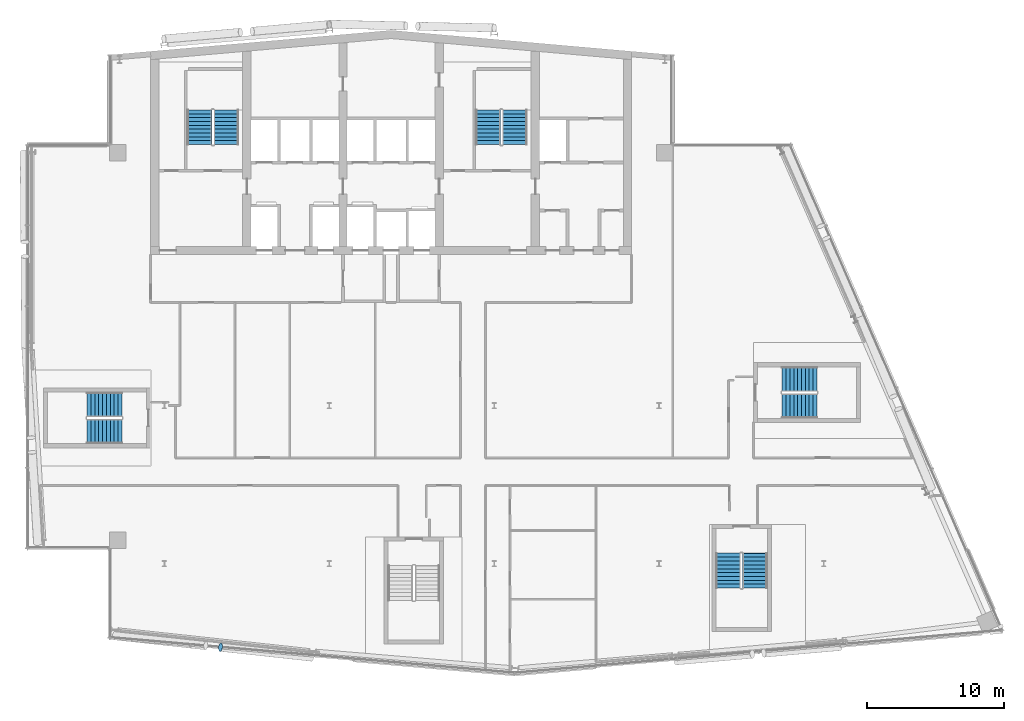
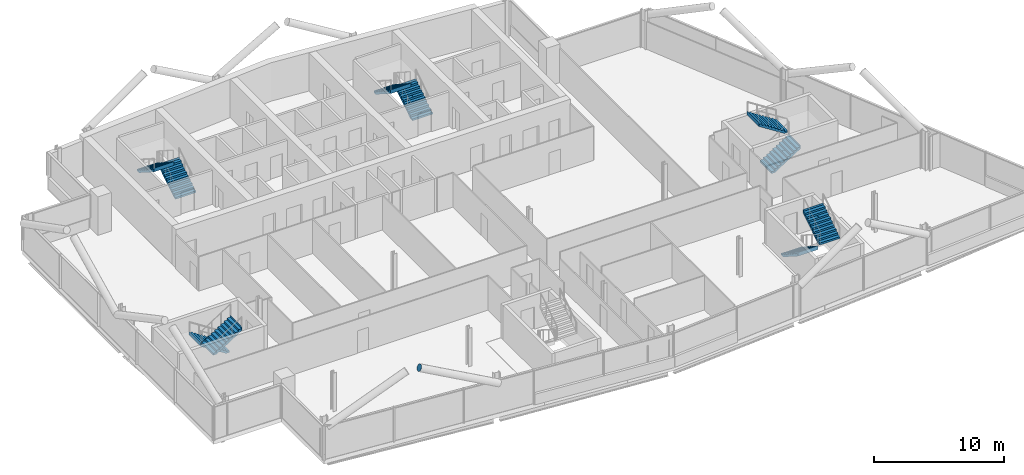
# One storey, part 20 of 27: 10 stair flights, 1 discrete accessory, 5 elements without a shape of their own.
"""IFC4 building model written with IfcOpenShell, lengths in metres."""

from ifc_helpers import new_model, si_unit, direction, frame, origin, origin_2d, place, context, subcontext, project, spatial, polyline, circle, outline, extrude, material, material_profile, profile_set, type_object, element, aggregate, save


model = new_model("IFC4")

# Units and contexts
model_context = context("Model", 3, precision=1e-05, world=origin(), true_north=direction((0.0, 1.0)))
body_context = subcontext(model_context, "Body", "Model", "MODEL_VIEW")
ifc_project = project(units=[si_unit("LENGTHUNIT", "METRE"), si_unit("AREAUNIT", "SQUARE_METRE"), si_unit("VOLUMEUNIT", "CUBIC_METRE"), si_unit("PLANEANGLEUNIT", "RADIAN"), si_unit("MASSUNIT", "GRAM", prefix="KILO")], contexts=[model_context])

# Site, building, storey
site_placement = place(None, origin())
site = spatial("IfcSite", under=ifc_project, at=site_placement, CompositionType="ELEMENT")
building_placement = place(site_placement, origin())
building = spatial("IfcBuilding", under=site, at=building_placement, Name="Wharfspan Tower", CompositionType="ELEMENT")
storey_placement = place(building_placement, frame((0.0, 0.0, 210.699951)))
storey = spatial("IfcBuildingStorey", under=building, at=storey_placement, Name="L52", CompositionType="ELEMENT", Elevation=210.699951)

# Stair, stair flights
ifc_material_1 = material(Name="Concrete C40/50", Category="concrete")
stair_type = type_object("IfcStairType", Name="Half-turn stair 20 risers 180 mm", PredefinedType="HALF_TURN_STAIR", material=ifc_material_1)
stair_1_placement = place(storey_placement, origin())
stair_1 = element("IfcStair", 1, at=stair_1_placement, inside=storey, type_object=stair_type, Name="L52 stair ST1", PredefinedType="HALF_TURN_STAIR")
stair_flight_type = type_object("IfcStairFlightType", Name="Stair flight 20 risers 180 mm", PredefinedType="STRAIGHT", material=ifc_material_1)
stair_flight_1_placement = place(storey_placement, frame((28.5, 42.0, 0.0), z_axis=(0.0, 0.0, 1.0), x_axis=(0.0, 1.0, 0.0)))
stair_flight_1 = element("IfcStairFlight", 2, at=stair_flight_1_placement, type_object=stair_flight_type, Name="ST1 flight 1", NumberOfRisers=10, NumberOfTreads=9, PredefinedType="STRAIGHT", RiserHeight=0.18, TreadLength=0.28, context=body_context, shape_type="SweptSolid", body=[
    extrude(outline(polyline([(-0.011963, 0.0), (-0.011963, 0.179932), (0.0, 0.179932), (0.280029, 0.179932), (0.280029, 0.360107), (0.560059, 0.360107), (0.560059, 0.540039), (0.840088, 0.540039), (0.840088, 0.719971), (1.120117, 0.719971), (1.120117, 0.899902), (1.399902, 0.899902), (1.399902, 1.080078), (1.679932, 1.080078), (1.679932, 1.26001), (1.959961, 1.26001), (1.959961, 1.439941), (2.23999, 1.439941), (2.23999, 1.620117), (2.52002, 1.620117), (2.531982, 1.800049), (2.531982, 1.441895), (0.2771, 0.0), (-0.011963, 0.0)])), frame((0.0, 0.899902, 0.0), z_axis=(0.0, -1.0, 0.0), x_axis=(1.0, 0.0, 0.0)), (0.0, 0.0, 1.0), 0.899414),
    extrude(outline(polyline([(-0.011963, 0.0), (-0.011963, 0.179932), (0.0, 0.179932), (0.280029, 0.179932), (0.280029, 0.360107), (0.560059, 0.360107), (0.560059, 0.540039), (0.840088, 0.540039), (0.840088, 0.719971), (1.120117, 0.719971), (1.120117, 0.899902), (1.399902, 0.899902), (1.399902, 1.080078), (1.679932, 1.080078), (1.679932, 1.26001), (1.959961, 1.26001), (1.959961, 1.439941), (2.23999, 1.439941), (2.23999, 1.620117), (2.52002, 1.620117), (2.531982, 1.800049), (2.531982, 1.441895), (0.2771, 0.0), (-0.011963, 0.0)])), frame((0.0, -0.000488, 0.0), z_axis=(0.0, -1.0, 0.0), x_axis=(1.0, 0.0, 0.0)), (0.0, 0.0, 1.0), 0.899414),
])
stair_flight_2_placement = place(storey_placement, frame((26.550049, 44.52002, 1.800049), z_axis=(0.0, 0.0, 1.0), x_axis=(0.0, -1.0, 0.0)))
stair_flight_2 = element("IfcStairFlight", 3, at=stair_flight_2_placement, type_object=stair_flight_type, Name="ST1 flight 2", NumberOfRisers=10, NumberOfTreads=9, PredefinedType="STRAIGHT", RiserHeight=0.18, TreadLength=0.28, context=body_context, shape_type="SweptSolid", body=[
    extrude(outline(polyline([(-0.011963, 0.0), (-0.011963, 0.179932), (0.0, 0.179932), (0.280029, 0.179932), (0.280029, 0.360107), (0.560059, 0.360107), (0.560059, 0.540039), (0.840088, 0.540039), (0.840088, 0.719971), (1.120117, 0.719971), (1.120117, 0.899902), (1.399902, 0.899902), (1.399902, 1.080078), (1.679932, 1.080078), (1.679932, 1.26001), (1.959961, 1.26001), (1.959961, 1.439941), (2.23999, 1.439941), (2.23999, 1.620117), (2.52002, 1.620117), (2.531982, 1.800049), (2.531982, 1.441895), (0.2771, 0.0), (-0.011963, 0.0)])), frame((0.0, 0.899902, 0.0), z_axis=(0.0, -1.0, 0.0), x_axis=(1.0, 0.0, 0.0)), (0.0, 0.0, 1.0), 0.899414),
    extrude(outline(polyline([(-0.011963, 0.0), (-0.011963, 0.179932), (0.0, 0.179932), (0.280029, 0.179932), (0.280029, 0.360107), (0.560059, 0.360107), (0.560059, 0.540039), (0.840088, 0.540039), (0.840088, 0.719971), (1.120117, 0.719971), (1.120117, 0.899902), (1.399902, 0.899902), (1.399902, 1.080078), (1.679932, 1.080078), (1.679932, 1.26001), (1.959961, 1.26001), (1.959961, 1.439941), (2.23999, 1.439941), (2.23999, 1.620117), (2.52002, 1.620117), (2.531982, 1.800049), (2.531982, 1.441895), (0.2771, 0.0), (-0.011963, 0.0)])), frame((0.0, -0.000488, 0.0), z_axis=(0.0, -1.0, 0.0), x_axis=(1.0, 0.0, 0.0)), (0.0, 0.0, 1.0), 0.899414),
])
aggregate(stair_1, [stair_flight_1, stair_flight_2])

stair_2_placement = place(storey_placement, origin())
stair_2 = element("IfcStair", 4, at=stair_2_placement, inside=storey, type_object=stair_type, Name="L52 stair ST2", PredefinedType="HALF_TURN_STAIR")
stair_flight_3_placement = place(storey_placement, frame((49.5, 42.0, 0.0), z_axis=(0.0, 0.0, 1.0), x_axis=(0.0, 1.0, 0.0)))
stair_flight_3 = element("IfcStairFlight", 5, at=stair_flight_3_placement, type_object=stair_flight_type, Name="ST2 flight 1", NumberOfRisers=10, NumberOfTreads=9, PredefinedType="STRAIGHT", RiserHeight=0.18, TreadLength=0.28, context=body_context, shape_type="SweptSolid", body=[
    extrude(outline(polyline([(-0.011963, 0.0), (-0.011963, 0.179932), (0.0, 0.179932), (0.280029, 0.179932), (0.280029, 0.360107), (0.560059, 0.360107), (0.560059, 0.540039), (0.840088, 0.540039), (0.840088, 0.719971), (1.120117, 0.719971), (1.120117, 0.899902), (1.399902, 0.899902), (1.399902, 1.080078), (1.679932, 1.080078), (1.679932, 1.26001), (1.959961, 1.26001), (1.959961, 1.439941), (2.23999, 1.439941), (2.23999, 1.620117), (2.52002, 1.620117), (2.531982, 1.800049), (2.531982, 1.441895), (0.2771, 0.0), (-0.011963, 0.0)])), frame((0.0, 0.899902, 0.0), z_axis=(0.0, -1.0, 0.0), x_axis=(1.0, 0.0, 0.0)), (0.0, 0.0, 1.0), 0.899414),
    extrude(outline(polyline([(-0.011963, 0.0), (-0.011963, 0.179932), (0.0, 0.179932), (0.280029, 0.179932), (0.280029, 0.360107), (0.560059, 0.360107), (0.560059, 0.540039), (0.840088, 0.540039), (0.840088, 0.719971), (1.120117, 0.719971), (1.120117, 0.899902), (1.399902, 0.899902), (1.399902, 1.080078), (1.679932, 1.080078), (1.679932, 1.26001), (1.959961, 1.26001), (1.959961, 1.439941), (2.23999, 1.439941), (2.23999, 1.620117), (2.52002, 1.620117), (2.531982, 1.800049), (2.531982, 1.441895), (0.2771, 0.0), (-0.011963, 0.0)])), frame((0.0, -0.000488, 0.0), z_axis=(0.0, -1.0, 0.0), x_axis=(1.0, 0.0, 0.0)), (0.0, 0.0, 1.0), 0.899414),
])
stair_flight_4_placement = place(storey_placement, frame((47.550049, 44.52002, 1.800049), z_axis=(0.0, 0.0, 1.0), x_axis=(0.0, -1.0, 0.0)))
stair_flight_4 = element("IfcStairFlight", 6, at=stair_flight_4_placement, type_object=stair_flight_type, Name="ST2 flight 2", NumberOfRisers=10, NumberOfTreads=9, PredefinedType="STRAIGHT", RiserHeight=0.18, TreadLength=0.28, context=body_context, shape_type="SweptSolid", body=[
    extrude(outline(polyline([(-0.011963, 0.0), (-0.011963, 0.179932), (0.0, 0.179932), (0.280029, 0.179932), (0.280029, 0.360107), (0.560059, 0.360107), (0.560059, 0.540039), (0.840088, 0.540039), (0.840088, 0.719971), (1.120117, 0.719971), (1.120117, 0.899902), (1.399902, 0.899902), (1.399902, 1.080078), (1.679932, 1.080078), (1.679932, 1.26001), (1.959961, 1.26001), (1.959961, 1.439941), (2.23999, 1.439941), (2.23999, 1.620117), (2.52002, 1.620117), (2.531982, 1.800049), (2.531982, 1.441895), (0.2771, 0.0), (-0.011963, 0.0)])), frame((0.0, 0.899902, 0.0), z_axis=(0.0, -1.0, 0.0), x_axis=(1.0, 0.0, 0.0)), (0.0, 0.0, 1.0), 0.899414),
    extrude(outline(polyline([(-0.011963, 0.0), (-0.011963, 0.179932), (0.0, 0.179932), (0.280029, 0.179932), (0.280029, 0.360107), (0.560059, 0.360107), (0.560059, 0.540039), (0.840088, 0.540039), (0.840088, 0.719971), (1.120117, 0.719971), (1.120117, 0.899902), (1.399902, 0.899902), (1.399902, 1.080078), (1.679932, 1.080078), (1.679932, 1.26001), (1.959961, 1.26001), (1.959961, 1.439941), (2.23999, 1.439941), (2.23999, 1.620117), (2.52002, 1.620117), (2.531982, 1.800049), (2.531982, 1.441895), (0.2771, 0.0), (-0.011963, 0.0)])), frame((0.0, -0.000488, 0.0), z_axis=(0.0, -1.0, 0.0), x_axis=(1.0, 0.0, 0.0)), (0.0, 0.0, 1.0), 0.899414),
])
aggregate(stair_2, [stair_flight_3, stair_flight_4])

stair_3_placement = place(storey_placement, origin())
stair_3 = element("IfcStair", 7, at=stair_3_placement, inside=storey, type_object=stair_type, Name="L52 stair ST3", PredefinedType="HALF_TURN_STAIR")
stair_flight_5_placement = place(storey_placement, frame((20.899902, 23.074951, 0.0), z_axis=(0.0, 0.0, 1.0), x_axis=(-1.0, 0.0, 0.0)))
stair_flight_5 = element("IfcStairFlight", 8, at=stair_flight_5_placement, type_object=stair_flight_type, Name="ST3 flight 1", NumberOfRisers=10, NumberOfTreads=9, PredefinedType="STRAIGHT", RiserHeight=0.18, TreadLength=0.28, context=body_context, shape_type="SweptSolid", body=[
    extrude(outline(polyline([(-0.011963, 0.0), (-0.011963, 0.179932), (0.0, 0.179932), (0.280029, 0.179932), (0.280029, 0.360107), (0.560059, 0.360107), (0.560059, 0.540039), (0.840088, 0.540039), (0.840088, 0.719971), (1.120117, 0.719971), (1.120117, 0.899902), (1.399902, 0.899902), (1.399902, 1.080078), (1.679932, 1.080078), (1.679932, 1.26001), (1.959961, 1.26001), (1.959961, 1.439941), (2.23999, 1.439941), (2.23999, 1.620117), (2.52002, 1.620117), (2.531982, 1.800049), (2.531982, 1.441895), (0.2771, 0.0), (-0.011963, 0.0)])), frame((0.0, 0.899902, 0.0), z_axis=(0.0, -1.0, 0.0), x_axis=(1.0, 0.0, 0.0)), (0.0, 0.0, 1.0), 0.899414),
    extrude(outline(polyline([(-0.011963, 0.0), (-0.011963, 0.179932), (0.0, 0.179932), (0.280029, 0.179932), (0.280029, 0.360107), (0.560059, 0.360107), (0.560059, 0.540039), (0.840088, 0.540039), (0.840088, 0.719971), (1.120117, 0.719971), (1.120117, 0.899902), (1.399902, 0.899902), (1.399902, 1.080078), (1.679932, 1.080078), (1.679932, 1.26001), (1.959961, 1.26001), (1.959961, 1.439941), (2.23999, 1.439941), (2.23999, 1.620117), (2.52002, 1.620117), (2.531982, 1.800049), (2.531982, 1.441895), (0.2771, 0.0), (-0.011963, 0.0)])), frame((0.0, -0.000488, 0.0), z_axis=(0.0, -1.0, 0.0), x_axis=(1.0, 0.0, 0.0)), (0.0, 0.0, 1.0), 0.899414),
])
stair_flight_6_placement = place(storey_placement, frame((18.379883, 21.125, 1.800049), z_axis=(0.0, 0.0, 1.0), x_axis=(1.0, 0.0, 0.0)))
stair_flight_6 = element("IfcStairFlight", 9, at=stair_flight_6_placement, type_object=stair_flight_type, Name="ST3 flight 2", NumberOfRisers=10, NumberOfTreads=9, PredefinedType="STRAIGHT", RiserHeight=0.18, TreadLength=0.28, context=body_context, shape_type="SweptSolid", body=[
    extrude(outline(polyline([(-0.011963, 0.0), (-0.011963, 0.179932), (0.0, 0.179932), (0.280029, 0.179932), (0.280029, 0.360107), (0.560059, 0.360107), (0.560059, 0.540039), (0.840088, 0.540039), (0.840088, 0.719971), (1.120117, 0.719971), (1.120117, 0.899902), (1.399902, 0.899902), (1.399902, 1.080078), (1.679932, 1.080078), (1.679932, 1.26001), (1.959961, 1.26001), (1.959961, 1.439941), (2.23999, 1.439941), (2.23999, 1.620117), (2.52002, 1.620117), (2.531982, 1.800049), (2.531982, 1.441895), (0.2771, 0.0), (-0.011963, 0.0)])), frame((0.0, 0.899902, 0.0), z_axis=(0.0, -1.0, 0.0), x_axis=(1.0, 0.0, 0.0)), (0.0, 0.0, 1.0), 0.899414),
    extrude(outline(polyline([(-0.011963, 0.0), (-0.011963, 0.179932), (0.0, 0.179932), (0.280029, 0.179932), (0.280029, 0.360107), (0.560059, 0.360107), (0.560059, 0.540039), (0.840088, 0.540039), (0.840088, 0.719971), (1.120117, 0.719971), (1.120117, 0.899902), (1.399902, 0.899902), (1.399902, 1.080078), (1.679932, 1.080078), (1.679932, 1.26001), (1.959961, 1.26001), (1.959961, 1.439941), (2.23999, 1.439941), (2.23999, 1.620117), (2.52002, 1.620117), (2.531982, 1.800049), (2.531982, 1.441895), (0.2771, 0.0), (-0.011963, 0.0)])), frame((0.0, -0.000488, 0.0), z_axis=(0.0, -1.0, 0.0), x_axis=(1.0, 0.0, 0.0)), (0.0, 0.0, 1.0), 0.899414),
])
aggregate(stair_3, [stair_flight_5, stair_flight_6])

stair_4_placement = place(storey_placement, origin())
stair_4 = element("IfcStair", 10, at=stair_4_placement, inside=storey, type_object=stair_type, Name="L52 stair ST5", PredefinedType="HALF_TURN_STAIR")
stair_flight_7_placement = place(storey_placement, frame((65.043701, 12.246094, 0.0), z_axis=(0.0, 0.0, 1.0), x_axis=(0.0, -1.0, 0.0)))
stair_flight_7 = element("IfcStairFlight", 11, at=stair_flight_7_placement, type_object=stair_flight_type, Name="ST5 flight 1", NumberOfRisers=10, NumberOfTreads=9, PredefinedType="STRAIGHT", RiserHeight=0.18, TreadLength=0.28, context=body_context, shape_type="SweptSolid", body=[
    extrude(outline(polyline([(-0.011963, 0.0), (-0.011963, 0.179932), (0.0, 0.179932), (0.280029, 0.179932), (0.280029, 0.360107), (0.560059, 0.360107), (0.560059, 0.540039), (0.840088, 0.540039), (0.840088, 0.719971), (1.120117, 0.719971), (1.120117, 0.899902), (1.399902, 0.899902), (1.399902, 1.080078), (1.679932, 1.080078), (1.679932, 1.26001), (1.959961, 1.26001), (1.959961, 1.439941), (2.23999, 1.439941), (2.23999, 1.620117), (2.52002, 1.620117), (2.531982, 1.800049), (2.531982, 1.441895), (0.2771, 0.0), (-0.011963, 0.0)])), frame((0.0, 0.899902, 0.0), z_axis=(0.0, -1.0, 0.0), x_axis=(1.0, 0.0, 0.0)), (0.0, 0.0, 1.0), 0.899414),
    extrude(outline(polyline([(-0.011963, 0.0), (-0.011963, 0.179932), (0.0, 0.179932), (0.280029, 0.179932), (0.280029, 0.360107), (0.560059, 0.360107), (0.560059, 0.540039), (0.840088, 0.540039), (0.840088, 0.719971), (1.120117, 0.719971), (1.120117, 0.899902), (1.399902, 0.899902), (1.399902, 1.080078), (1.679932, 1.080078), (1.679932, 1.26001), (1.959961, 1.26001), (1.959961, 1.439941), (2.23999, 1.439941), (2.23999, 1.620117), (2.52002, 1.620117), (2.531982, 1.800049), (2.531982, 1.441895), (0.2771, 0.0), (-0.011963, 0.0)])), frame((0.0, -0.000488, 0.0), z_axis=(0.0, -1.0, 0.0), x_axis=(1.0, 0.0, 0.0)), (0.0, 0.0, 1.0), 0.899414),
])
stair_flight_8_placement = place(storey_placement, frame((66.993896, 9.726074, 1.800049), z_axis=(0.0, 0.0, 1.0), x_axis=(0.0, 1.0, 0.0)))
stair_flight_8 = element("IfcStairFlight", 12, at=stair_flight_8_placement, type_object=stair_flight_type, Name="ST5 flight 2", NumberOfRisers=10, NumberOfTreads=9, PredefinedType="STRAIGHT", RiserHeight=0.18, TreadLength=0.28, context=body_context, shape_type="SweptSolid", body=[
    extrude(outline(polyline([(-0.011963, 0.0), (-0.011963, 0.179932), (0.0, 0.179932), (0.280029, 0.179932), (0.280029, 0.360107), (0.560059, 0.360107), (0.560059, 0.540039), (0.840088, 0.540039), (0.840088, 0.719971), (1.120117, 0.719971), (1.120117, 0.899902), (1.399902, 0.899902), (1.399902, 1.080078), (1.679932, 1.080078), (1.679932, 1.26001), (1.959961, 1.26001), (1.959961, 1.439941), (2.23999, 1.439941), (2.23999, 1.620117), (2.52002, 1.620117), (2.531982, 1.800049), (2.531982, 1.441895), (0.2771, 0.0), (-0.011963, 0.0)])), frame((0.0, 0.899902, 0.0), z_axis=(0.0, -1.0, 0.0), x_axis=(1.0, 0.0, 0.0)), (0.0, 0.0, 1.0), 0.899414),
    extrude(outline(polyline([(-0.011963, 0.0), (-0.011963, 0.179932), (0.0, 0.179932), (0.280029, 0.179932), (0.280029, 0.360107), (0.560059, 0.360107), (0.560059, 0.540039), (0.840088, 0.540039), (0.840088, 0.719971), (1.120117, 0.719971), (1.120117, 0.899902), (1.399902, 0.899902), (1.399902, 1.080078), (1.679932, 1.080078), (1.679932, 1.26001), (1.959961, 1.26001), (1.959961, 1.439941), (2.23999, 1.439941), (2.23999, 1.620117), (2.52002, 1.620117), (2.531982, 1.800049), (2.531982, 1.441895), (0.2771, 0.0), (-0.011963, 0.0)])), frame((0.0, -0.000488, 0.0), z_axis=(0.0, -1.0, 0.0), x_axis=(1.0, 0.0, 0.0)), (0.0, 0.0, 1.0), 0.899414),
])
aggregate(stair_4, [stair_flight_7, stair_flight_8])

stair_5_placement = place(storey_placement, origin())
stair_5 = element("IfcStair", 13, at=stair_5_placement, inside=storey, type_object=stair_type, Name="L52 stair ST6", PredefinedType="HALF_TURN_STAIR")
stair_flight_9_placement = place(storey_placement, frame((68.969482, 22.975098, 0.0), z_axis=(0.0, 0.0, 1.0), x_axis=(1.0, 0.0, 0.0)))
stair_flight_9 = element("IfcStairFlight", 14, at=stair_flight_9_placement, type_object=stair_flight_type, Name="ST6 flight 1", NumberOfRisers=10, NumberOfTreads=9, PredefinedType="STRAIGHT", RiserHeight=0.18, TreadLength=0.28, context=body_context, shape_type="SweptSolid", body=[
    extrude(outline(polyline([(-0.011963, 0.0), (-0.011963, 0.179932), (0.0, 0.179932), (0.280029, 0.179932), (0.280029, 0.360107), (0.560059, 0.360107), (0.560059, 0.540039), (0.840088, 0.540039), (0.840088, 0.719971), (1.120117, 0.719971), (1.120117, 0.899902), (1.399902, 0.899902), (1.399902, 1.080078), (1.679932, 1.080078), (1.679932, 1.26001), (1.959961, 1.26001), (1.959961, 1.439941), (2.23999, 1.439941), (2.23999, 1.620117), (2.52002, 1.620117), (2.531982, 1.800049), (2.531982, 1.441895), (0.2771, 0.0), (-0.011963, 0.0)])), frame((0.0, 0.899902, 0.0), z_axis=(0.0, -1.0, 0.0), x_axis=(1.0, 0.0, 0.0)), (0.0, 0.0, 1.0), 0.899414),
    extrude(outline(polyline([(-0.011963, 0.0), (-0.011963, 0.179932), (0.0, 0.179932), (0.280029, 0.179932), (0.280029, 0.360107), (0.560059, 0.360107), (0.560059, 0.540039), (0.840088, 0.540039), (0.840088, 0.719971), (1.120117, 0.719971), (1.120117, 0.899902), (1.399902, 0.899902), (1.399902, 1.080078), (1.679932, 1.080078), (1.679932, 1.26001), (1.959961, 1.26001), (1.959961, 1.439941), (2.23999, 1.439941), (2.23999, 1.620117), (2.52002, 1.620117), (2.531982, 1.800049), (2.531982, 1.441895), (0.2771, 0.0), (-0.011963, 0.0)])), frame((0.0, -0.000488, 0.0), z_axis=(0.0, -1.0, 0.0), x_axis=(1.0, 0.0, 0.0)), (0.0, 0.0, 1.0), 0.899414),
])
stair_flight_10_placement = place(storey_placement, frame((71.489502, 24.925049, 1.800049), z_axis=(0.0, 0.0, 1.0), x_axis=(-1.0, 0.0, 0.0)))
stair_flight_10 = element("IfcStairFlight", 15, at=stair_flight_10_placement, type_object=stair_flight_type, Name="ST6 flight 2", NumberOfRisers=10, NumberOfTreads=9, PredefinedType="STRAIGHT", RiserHeight=0.18, TreadLength=0.28, context=body_context, shape_type="SweptSolid", body=[
    extrude(outline(polyline([(-0.011963, 0.0), (-0.011963, 0.179932), (0.0, 0.179932), (0.280029, 0.179932), (0.280029, 0.360107), (0.560059, 0.360107), (0.560059, 0.540039), (0.840088, 0.540039), (0.840088, 0.719971), (1.120117, 0.719971), (1.120117, 0.899902), (1.399902, 0.899902), (1.399902, 1.080078), (1.679932, 1.080078), (1.679932, 1.26001), (1.959961, 1.26001), (1.959961, 1.439941), (2.23999, 1.439941), (2.23999, 1.620117), (2.52002, 1.620117), (2.531982, 1.800049), (2.531982, 1.441895), (0.2771, 0.0), (-0.011963, 0.0)])), frame((0.0, 0.899902, 0.0), z_axis=(0.0, -1.0, 0.0), x_axis=(1.0, 0.0, 0.0)), (0.0, 0.0, 1.0), 0.899414),
    extrude(outline(polyline([(-0.011963, 0.0), (-0.011963, 0.179932), (0.0, 0.179932), (0.280029, 0.179932), (0.280029, 0.360107), (0.560059, 0.360107), (0.560059, 0.540039), (0.840088, 0.540039), (0.840088, 0.719971), (1.120117, 0.719971), (1.120117, 0.899902), (1.399902, 0.899902), (1.399902, 1.080078), (1.679932, 1.080078), (1.679932, 1.26001), (1.959961, 1.26001), (1.959961, 1.439941), (2.23999, 1.439941), (2.23999, 1.620117), (2.52002, 1.620117), (2.531982, 1.800049), (2.531982, 1.441895), (0.2771, 0.0), (-0.011963, 0.0)])), frame((0.0, -0.000488, 0.0), z_axis=(0.0, -1.0, 0.0), x_axis=(1.0, 0.0, 0.0)), (0.0, 0.0, 1.0), 0.899414),
])
aggregate(stair_5, [stair_flight_9, stair_flight_10])

# Discrete accessory
ifc_material_2 = material(Name="Steel S460NH", Category="steel")
ifc_material_profile = material_profile(ifc_material_2, circle(Radius=0.304932, at=origin_2d()))
ifc_profile_set = profile_set([ifc_material_profile], Name="Steel S460NH")
discrete_accessory_type = type_object("IfcDiscreteAccessoryType", Name="End plate CHS 610x25", PredefinedType="BRACKET", material=ifc_profile_set)
discrete_accessory_placement = place(storey_placement, frame((28.088867, 5.410889, 6.229004), z_axis=(-0.890043, 0.098894, 0.445021), x_axis=(-0.110431, -0.99388, 1e-06)))
element("IfcDiscreteAccessory", 16, at=discrete_accessory_placement, inside=storey, type_object=discrete_accessory_type, Name="End plate CHS 610x25", PredefinedType="BRACKET", context=body_context, shape_type="SweptSolid", body=[
    extrude(circle(Radius=0.304932, at=origin_2d()), origin(), (0.0, 0.0, 1.0), 0.009766),
])

save(model, "model.ifc")
